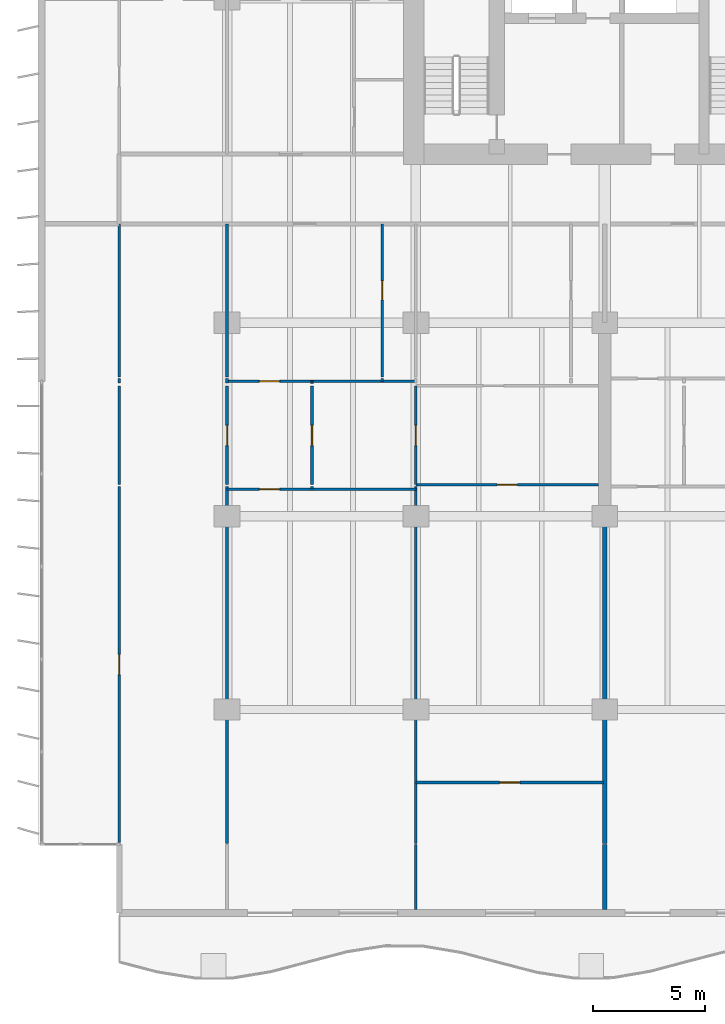
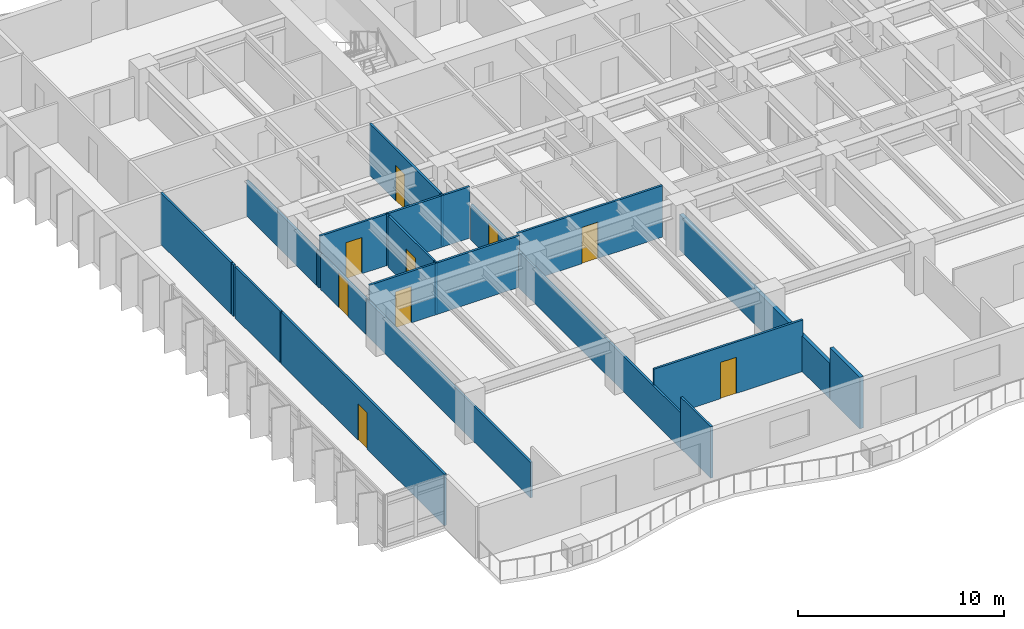
# One storey, part 6 of 17: 22 walls, 9 doors, 9 openings.
"""IFC4 building model written with IfcOpenShell, lengths in metres."""

from ifc_helpers import new_model, si_unit, direction, frame, frame_2d, origin, place, context, subcontext, project, spatial, rectangle, extrude, material, layer, layer_set, type_object, element, fill, save


model = new_model("IFC4")

# Units and contexts
model_context = context("Model", 3, precision=1e-05, world=origin(), true_north=direction((0.0, 1.0)))
body_context = subcontext(model_context, "Body", "Model", "MODEL_VIEW")
ifc_project = project(units=[si_unit("LENGTHUNIT", "METRE"), si_unit("AREAUNIT", "SQUARE_METRE"), si_unit("VOLUMEUNIT", "CUBIC_METRE"), si_unit("PLANEANGLEUNIT", "RADIAN"), si_unit("MASSUNIT", "GRAM", prefix="KILO")], contexts=[model_context])

# Site, building, storey
site_placement = place(None, origin())
site = spatial("IfcSite", under=ifc_project, at=site_placement, CompositionType="ELEMENT")
building_placement = place(site_placement, origin())
building = spatial("IfcBuilding", under=site, at=building_placement, Name="Caelmar Bay Residences", CompositionType="ELEMENT")
storey_placement = place(building_placement, frame((0.0, 0.0, 63.0)))
storey = spatial("IfcBuildingStorey", under=building, at=storey_placement, Name="L16", CompositionType="ELEMENT", Elevation=63.0)

# Wall, opening, door
ifc_material_1 = material(Name="Acoustic metal-stud gypsum partition 120 mm")
ifc_layer_1 = layer(ifc_material_1, 0.1201171875)
ifc_layer_set_1 = layer_set([ifc_layer_1], Name="Acoustic metal-stud gypsum partition 120 mm")
wall_type_1 = type_object("IfcWallType", Name="W-PRT-120", PredefinedType="PARTITIONING", material=ifc_layer_set_1)
wall_1_placement = place(storey_placement, frame((5.10009765625, 6.284912109375, 0.0), z_axis=(0.0, 0.0, 1.0), x_axis=(0.0, 1.0, 0.0)))
wall_1 = element("IfcWall", 1, at=wall_1_placement, inside=storey, type_object=wall_type_1, Name="L16 Partition Wall V001", PredefinedType="PARTITIONING", context=body_context, shape_type="SweptSolid", body=[
    extrude(rectangle(XDim=15.835205078125, YDim=0.1201171875, at=frame_2d((7.91748046875, 0.0))), origin(), (0.0, 0.0, 1.0), 3.050048828125),
])
opening_1_placement = place(wall_1_placement, frame((7.467529296875, 0.0, 0.0)))
opening_1 = element("IfcOpeningElement", 2, at=opening_1_placement, cuts=wall_1, Name="Opening D-L16-166", PredefinedType="OPENING", context=body_context, shape_type="SweptSolid", body=[
    extrude(rectangle(XDim=0.89990234375, YDim=2.14990234375, at=frame_2d((0.449951171875, 1.074951171875))), frame((0.0, 0.070068359375, 0.0), z_axis=(0.0, -1.0, 0.0), x_axis=(1.0, 0.0, 0.0)), (0.0, 0.0, 1.0), 0.14013671875),
])
ifc_material_2 = material(Name="Solid walnut timber interior door leaf and frame", Category="wood")
ifc_layer_2 = layer(ifc_material_2, 0.050048828125)
ifc_layer_set_2 = layer_set([ifc_layer_2], Name="Solid walnut timber interior door leaf and frame")
door_type_1 = type_object("IfcDoorType", Name="D-ROOM-900", OperationType="NOTDEFINED", PredefinedType="DOOR", material=ifc_layer_set_2)
door_1_placement = place(opening_1_placement, origin())
door_1 = element("IfcDoor", 3, at=door_1_placement, inside=storey, type_object=door_type_1, Name="L16 Residence 01 Penthouse West Salon Door", OperationType="SINGLE_SWING_LEFT", OverallHeight=2.14990234375, OverallWidth=0.89990234375, PredefinedType="DOOR", context=body_context, shape_type="SweptSolid", body=[
    extrude(rectangle(XDim=0.89990234375, YDim=2.14990234375, at=frame_2d((0.449951171875, 1.074951171875))), frame((0.0, 0.02490234375, 0.0), z_axis=(0.0, -1.0, 0.0), x_axis=(1.0, 0.0, 0.0)), (0.0, 0.0, 1.0), 0.050048828125),
])
fill(opening_1, door_1)

# Walls
wall_2_placement = place(storey_placement, frame((5.10009765625, 22.199951171875, 0.0), z_axis=(0.0, 0.0, 1.0), x_axis=(0.0, 1.0, 0.0)))
element("IfcWall", 4, at=wall_2_placement, inside=storey, type_object=wall_type_1, Name="L16 Partition Wall V002", PredefinedType="PARTITIONING", context=body_context, shape_type="SweptSolid", body=[
    extrude(rectangle(XDim=4.380126953125, YDim=0.1201171875, at=frame_2d((2.18994140625, 0.0))), origin(), (0.0, 0.0, 1.0), 3.050048828125),
])
wall_3_placement = place(storey_placement, frame((5.10009765625, 26.719970703125, 0.0), z_axis=(0.0, 0.0, 1.0), x_axis=(0.0, 1.0, 0.0)))
element("IfcWall", 5, at=wall_3_placement, inside=storey, type_object=wall_type_1, Name="L16 Partition Wall V003", PredefinedType="PARTITIONING", context=body_context, shape_type="SweptSolid", body=[
    extrude(rectangle(XDim=0.199951171875, YDim=0.1201171875, at=frame_2d((0.10009765625, 0.0))), origin(), (0.0, 0.0, 1.0), 3.050048828125),
])
wall_4_placement = place(storey_placement, frame((5.10009765625, 26.97998046875, 0.0), z_axis=(0.0, 0.0, 1.0), x_axis=(0.0, 1.0, 0.0)))
element("IfcWall", 6, at=wall_4_placement, inside=storey, type_object=wall_type_1, Name="L16 Partition Wall V004", PredefinedType="PARTITIONING", context=body_context, shape_type="SweptSolid", body=[
    extrude(rectangle(XDim=6.820068359375, YDim=0.1201171875, at=frame_2d((3.41015625, 0.0))), origin(), (0.0, 0.0, 1.0), 3.050048828125),
])
wall_5_placement = place(storey_placement, frame((9.89990234375, 6.239990234375, 0.0), z_axis=(0.0, 0.0, 1.0), x_axis=(0.0, 1.0, 0.0)))
element("IfcWall", 7, at=wall_5_placement, inside=storey, type_object=wall_type_1, Name="L16 Partition Wall V008", PredefinedType="PARTITIONING", context=body_context, shape_type="SweptSolid", body=[
    extrude(rectangle(XDim=15.880126953125, YDim=0.1201171875, at=frame_2d((7.93994140625, 0.0))), origin(), (0.0, 0.0, 1.0), 2.110107421875),
])

# Wall, opening, door
wall_6_placement = place(storey_placement, frame((9.89990234375, 22.199951171875, 0.0), z_axis=(0.0, 0.0, 1.0), x_axis=(0.0, 1.0, 0.0)))
wall_6 = element("IfcWall", 8, at=wall_6_placement, inside=storey, type_object=wall_type_1, Name="L16 Partition Wall V009", PredefinedType="PARTITIONING", context=body_context, shape_type="SweptSolid", body=[
    extrude(rectangle(XDim=4.380126953125, YDim=0.1201171875, at=frame_2d((2.18994140625, 0.0))), origin(), (0.0, 0.0, 1.0), 2.110107421875),
])
opening_2_placement = place(wall_6_placement, frame((1.739990234375, 0.0, 0.0)))
opening_2 = element("IfcOpeningElement", 9, at=opening_2_placement, cuts=wall_6, Name="Opening D-L16-133", PredefinedType="OPENING", context=body_context, shape_type="SweptSolid", body=[
    extrude(rectangle(XDim=0.89990234375, YDim=2.06005859375, at=frame_2d((0.449951171875, 1.030029296875))), frame((0.0, 0.070068359375, 0.0), z_axis=(0.0, -1.0, 0.0), x_axis=(1.0, 0.0, 0.0)), (0.0, 0.0, 1.0), 0.14013671875),
])
door_2_placement = place(opening_2_placement, origin())
door_2 = element("IfcDoor", 10, at=door_2_placement, inside=storey, type_object=door_type_1, Name="L16 Residence 01 West Apartment Hall Door", OperationType="SINGLE_SWING_RIGHT", OverallHeight=2.06005859375, OverallWidth=0.89990234375, PredefinedType="DOOR", context=body_context, shape_type="SweptSolid", body=[
    extrude(rectangle(XDim=0.89990234375, YDim=2.06005859375, at=frame_2d((0.449951171875, 1.030029296875))), frame((0.0, 0.02490234375, 0.0), z_axis=(0.0, -1.0, 0.0), x_axis=(1.0, 0.0, 0.0)), (0.0, 0.0, 1.0), 0.050048828125),
])
fill(opening_2, door_2)

# Walls
wall_7_placement = place(storey_placement, frame((9.89990234375, 26.719970703125, 0.0), z_axis=(0.0, 0.0, 1.0), x_axis=(0.0, 1.0, 0.0)))
element("IfcWall", 11, at=wall_7_placement, inside=storey, type_object=wall_type_1, Name="L16 Partition Wall V010", PredefinedType="PARTITIONING", context=body_context, shape_type="SweptSolid", body=[
    extrude(rectangle(XDim=0.199951171875, YDim=0.1201171875, at=frame_2d((0.10009765625, 0.0))), origin(), (0.0, 0.0, 1.0), 2.110107421875),
])
wall_8_placement = place(storey_placement, frame((9.89990234375, 26.97998046875, 0.0), z_axis=(0.0, 0.0, 1.0), x_axis=(0.0, 1.0, 0.0)))
element("IfcWall", 12, at=wall_8_placement, inside=storey, type_object=wall_type_1, Name="L16 Partition Wall V011", PredefinedType="PARTITIONING", context=body_context, shape_type="SweptSolid", body=[
    extrude(rectangle(XDim=6.820068359375, YDim=0.1201171875, at=frame_2d((3.41015625, 0.0))), origin(), (0.0, 0.0, 1.0), 2.110107421875),
])
wall_9_placement = place(storey_placement, frame((13.679931640625, 22.0, 0.0), z_axis=(0.0, 0.0, 1.0), x_axis=(0.0, 1.0, 0.0)))
element("IfcWall", 13, at=wall_9_placement, inside=storey, type_object=wall_type_1, Name="L16 Partition Wall V013", PredefinedType="PARTITIONING", context=body_context, shape_type="SweptSolid", body=[
    extrude(rectangle(XDim=0.1201171875, YDim=0.1201171875, at=frame_2d((0.06005859375, 0.0))), origin(), (0.0, 0.0, 1.0), 3.050048828125),
])

# Wall, opening, door
wall_10_placement = place(storey_placement, frame((13.679931640625, 22.199951171875, 0.0), z_axis=(0.0, 0.0, 1.0), x_axis=(0.0, 1.0, 0.0)))
wall_10 = element("IfcWall", 14, at=wall_10_placement, inside=storey, type_object=wall_type_1, Name="L16 Partition Wall V014", PredefinedType="PARTITIONING", context=body_context, shape_type="SweptSolid", body=[
    extrude(rectangle(XDim=4.380126953125, YDim=0.1201171875, at=frame_2d((2.18994140625, 0.0))), origin(), (0.0, 0.0, 1.0), 3.050048828125),
])
opening_3_placement = place(wall_10_placement, frame((1.739990234375, 0.0, 0.0)))
opening_3 = element("IfcOpeningElement", 15, at=opening_3_placement, cuts=wall_10, Name="Opening D-L16-126", PredefinedType="OPENING", context=body_context, shape_type="SweptSolid", body=[
    extrude(rectangle(XDim=0.89990234375, YDim=2.14990234375, at=frame_2d((0.449951171875, 1.074951171875))), frame((0.0, 0.070068359375, 0.0), z_axis=(0.0, -1.0, 0.0), x_axis=(1.0, 0.0, 0.0)), (0.0, 0.0, 1.0), 0.14013671875),
])
door_3_placement = place(opening_3_placement, origin())
door_3 = element("IfcDoor", 16, at=door_3_placement, inside=storey, type_object=door_type_1, Name="L16 Residence 01 Kitchen Door", OperationType="SINGLE_SWING_LEFT", OverallHeight=2.14990234375, OverallWidth=0.89990234375, PredefinedType="DOOR", context=body_context, shape_type="SweptSolid", body=[
    extrude(rectangle(XDim=0.89990234375, YDim=2.14990234375, at=frame_2d((0.449951171875, 1.074951171875))), frame((0.0, 0.02490234375, 0.0), z_axis=(0.0, -1.0, 0.0), x_axis=(1.0, 0.0, 0.0)), (0.0, 0.0, 1.0), 0.050048828125),
])
fill(opening_3, door_3)

# Walls
wall_11_placement = place(storey_placement, frame((13.679931640625, 26.719970703125, 0.0), z_axis=(0.0, 0.0, 1.0), x_axis=(0.0, 1.0, 0.0)))
element("IfcWall", 17, at=wall_11_placement, inside=storey, type_object=wall_type_1, Name="L16 Partition Wall V015", PredefinedType="PARTITIONING", context=body_context, shape_type="SweptSolid", body=[
    extrude(rectangle(XDim=0.080078125, YDim=0.1201171875, at=frame_2d((0.0400390625, 0.0))), origin(), (0.0, 0.0, 1.0), 3.050048828125),
])
wall_12_placement = place(storey_placement, frame((16.800048828125, 26.800048828125, 0.0), z_axis=(0.0, 0.0, 1.0), x_axis=(0.0, 1.0, 0.0)))
element("IfcWall", 18, at=wall_12_placement, inside=storey, type_object=wall_type_1, Name="L16 Partition Wall V017", PredefinedType="PARTITIONING", context=body_context, shape_type="SweptSolid", body=[
    extrude(rectangle(XDim=0.119873046875, YDim=0.1201171875, at=frame_2d((0.06005859375, 0.0))), origin(), (0.0, 0.0, 1.0), 3.050048828125),
])

# Wall, opening, door
wall_13_placement = place(storey_placement, frame((16.800048828125, 26.97998046875, 0.0), z_axis=(0.0, 0.0, 1.0), x_axis=(0.0, 1.0, 0.0)))
wall_13 = element("IfcWall", 19, at=wall_13_placement, inside=storey, type_object=wall_type_1, Name="L16 Partition Wall V018", PredefinedType="PARTITIONING", context=body_context, shape_type="SweptSolid", body=[
    extrude(rectangle(XDim=6.820068359375, YDim=0.1201171875, at=frame_2d((3.41015625, 0.0))), origin(), (0.0, 0.0, 1.0), 3.050048828125),
])
opening_4_placement = place(wall_13_placement, frame((3.43505859375, 0.0, 0.0)))
opening_4 = element("IfcOpeningElement", 20, at=opening_4_placement, cuts=wall_13, Name="Opening D-L16-124", PredefinedType="OPENING", context=body_context, shape_type="SweptSolid", body=[
    extrude(rectangle(XDim=0.85009765625, YDim=2.10009765625, at=frame_2d((0.425048828125, 1.050048828125))), frame((0.0, 0.070068359375, 0.0), z_axis=(0.0, -1.0, 0.0), x_axis=(1.0, 0.0, 0.0)), (0.0, 0.0, 1.0), 0.14013671875),
])
ifc_layer_3 = layer(ifc_material_2, 0.050048828125)
ifc_layer_set_3 = layer_set([ifc_layer_3], Name="Solid walnut timber interior door leaf and frame")
door_type_2 = type_object("IfcDoorType", Name="D-BATH-850", OperationType="NOTDEFINED", PredefinedType="DOOR", material=ifc_layer_set_3)
door_4_placement = place(opening_4_placement, origin())
door_4 = element("IfcDoor", 21, at=door_4_placement, inside=storey, type_object=door_type_2, Name="L16 Residence 01 Guest Bathroom Door", OperationType="SINGLE_SWING_LEFT", OverallHeight=2.10009765625, OverallWidth=0.85009765625, PredefinedType="DOOR", context=body_context, shape_type="SweptSolid", body=[
    extrude(rectangle(XDim=0.85009765625, YDim=2.10009765625, at=frame_2d((0.425048828125, 1.050048828125))), frame((0.0, 0.02490234375, 0.0), z_axis=(0.0, -1.0, 0.0), x_axis=(1.0, 0.0, 0.0)), (0.0, 0.0, 1.0), 0.050048828125),
])
fill(opening_4, door_4)

# Walls
wall_14_placement = place(storey_placement, frame((18.300048828125, 3.294921875, 0.0), z_axis=(0.0, 0.0, 1.0), x_axis=(0.0, 1.0, 0.0)))
element("IfcWall", 22, at=wall_14_placement, inside=storey, type_object=wall_type_1, Name="L16 Partition Wall V019", PredefinedType="PARTITIONING", context=body_context, shape_type="SweptSolid", body=[
    extrude(rectangle(XDim=2.905029296875, YDim=0.1201171875, at=frame_2d((1.45263671875, 0.0))), origin(), (0.0, 0.0, 1.0), 3.050048828125),
])
wall_15_placement = place(storey_placement, frame((18.300048828125, 6.239990234375, 0.0), z_axis=(0.0, 0.0, 1.0), x_axis=(0.0, 1.0, 0.0)))
element("IfcWall", 23, at=wall_15_placement, inside=storey, type_object=wall_type_1, Name="L16 Partition Wall V020", PredefinedType="PARTITIONING", context=body_context, shape_type="SweptSolid", body=[
    extrude(rectangle(XDim=15.880126953125, YDim=0.1201171875, at=frame_2d((7.93994140625, 0.0))), origin(), (0.0, 0.0, 1.0), 2.110107421875),
])

# Wall, opening, door
wall_16_placement = place(storey_placement, frame((18.300048828125, 22.199951171875, 0.0), z_axis=(0.0, 0.0, 1.0), x_axis=(0.0, 1.0, 0.0)))
wall_16 = element("IfcWall", 24, at=wall_16_placement, inside=storey, type_object=wall_type_1, Name="L16 Partition Wall V021", PredefinedType="PARTITIONING", context=body_context, shape_type="SweptSolid", body=[
    extrude(rectangle(XDim=4.380126953125, YDim=0.1201171875, at=frame_2d((2.18994140625, 0.0))), origin(), (0.0, 0.0, 1.0), 2.110107421875),
])
opening_5_placement = place(wall_16_placement, frame((1.739990234375, 0.0, 0.0)))
opening_5 = element("IfcOpeningElement", 25, at=opening_5_placement, cuts=wall_16, Name="Opening D-L16-128", PredefinedType="OPENING", context=body_context, shape_type="SweptSolid", body=[
    extrude(rectangle(XDim=0.89990234375, YDim=2.06005859375, at=frame_2d((0.449951171875, 1.030029296875))), frame((0.0, 0.070068359375, 0.0), z_axis=(0.0, -1.0, 0.0), x_axis=(1.0, 0.0, 0.0)), (0.0, 0.0, 1.0), 0.14013671875),
])
door_5_placement = place(opening_5_placement, origin())
door_5 = element("IfcDoor", 26, at=door_5_placement, inside=storey, type_object=door_type_1, Name="L16 Residence 01 Conference Study 1 Door", OperationType="SINGLE_SWING_LEFT", OverallHeight=2.06005859375, OverallWidth=0.89990234375, PredefinedType="DOOR", context=body_context, shape_type="SweptSolid", body=[
    extrude(rectangle(XDim=0.89990234375, YDim=2.06005859375, at=frame_2d((0.449951171875, 1.030029296875))), frame((0.0, 0.02490234375, 0.0), z_axis=(0.0, -1.0, 0.0), x_axis=(1.0, 0.0, 0.0)), (0.0, 0.0, 1.0), 0.050048828125),
])
fill(opening_5, door_5)

wall_17_placement = place(storey_placement, frame((18.300048828125, 8.949951171875, 0.0), z_axis=(0.0, 0.0, 1.0), x_axis=(1.0, 0.0, 0.0)))
wall_17 = element("IfcWall", 27, at=wall_17_placement, inside=storey, type_object=wall_type_1, Name="L16 Partition Wall H101", PredefinedType="PARTITIONING", context=body_context, shape_type="SweptSolid", body=[
    extrude(rectangle(XDim=8.349853515625, YDim=0.1201171875, at=frame_2d((4.1748046875, 0.0))), origin(), (0.0, 0.0, 1.0), 3.050048828125),
])
opening_6_placement = place(wall_17_placement, frame((3.72509765625, 0.0, 0.0)))
opening_6 = element("IfcOpeningElement", 28, at=opening_6_placement, cuts=wall_17, Name="Opening D-L16-132", PredefinedType="OPENING", context=body_context, shape_type="SweptSolid", body=[
    extrude(rectangle(XDim=0.89990234375, YDim=2.14990234375, at=frame_2d((0.449951171875, 1.074951171875))), frame((0.0, 0.070068359375, 0.0), z_axis=(0.0, -1.0, 0.0), x_axis=(1.0, 0.0, 0.0)), (0.0, 0.0, 1.0), 0.14013671875),
])
door_6_placement = place(opening_6_placement, origin())
door_6 = element("IfcDoor", 29, at=door_6_placement, inside=storey, type_object=door_type_1, Name="L16 Residence 01 Primary Bedroom 1 Door", OperationType="SINGLE_SWING_LEFT", OverallHeight=2.14990234375, OverallWidth=0.89990234375, PredefinedType="DOOR", context=body_context, shape_type="SweptSolid", body=[
    extrude(rectangle(XDim=0.89990234375, YDim=2.14990234375, at=frame_2d((0.449951171875, 1.074951171875))), frame((0.0, 0.02490234375, 0.0), z_axis=(0.0, -1.0, 0.0), x_axis=(1.0, 0.0, 0.0)), (0.0, 0.0, 1.0), 0.050048828125),
])
fill(opening_6, door_6)

wall_18_placement = place(storey_placement, frame((9.89990234375, 22.0, 0.0), z_axis=(0.0, 0.0, 1.0), x_axis=(1.0, 0.0, 0.0)))
wall_18 = element("IfcWall", 30, at=wall_18_placement, inside=storey, type_object=wall_type_1, Name="L16 Partition Wall H109", PredefinedType="PARTITIONING", context=body_context, shape_type="SweptSolid", body=[
    extrude(rectangle(XDim=8.400146484375, YDim=0.1201171875, at=frame_2d((4.2001953125, 0.0))), origin(), (0.0, 0.0, 1.0), 3.050048828125),
])
opening_7_placement = place(wall_18_placement, frame((1.43994140625, 0.0, 0.0)))
opening_7 = element("IfcOpeningElement", 31, at=opening_7_placement, cuts=wall_18, Name="Opening D-L16-127", PredefinedType="OPENING", context=body_context, shape_type="SweptSolid", body=[
    extrude(rectangle(XDim=0.89990234375, YDim=2.14990234375, at=frame_2d((0.449951171875, 1.074951171875))), frame((0.0, 0.070068359375, 0.0), z_axis=(0.0, -1.0, 0.0), x_axis=(1.0, 0.0, 0.0)), (0.0, 0.0, 1.0), 0.14013671875),
])
door_7_placement = place(opening_7_placement, origin())
door_7 = element("IfcDoor", 32, at=door_7_placement, inside=storey, type_object=door_type_1, Name="L16 Residence 01 Penthouse Living Salon Door", OperationType="SINGLE_SWING_RIGHT", OverallHeight=2.14990234375, OverallWidth=0.89990234375, PredefinedType="DOOR", context=body_context, shape_type="SweptSolid", body=[
    extrude(rectangle(XDim=0.89990234375, YDim=2.14990234375, at=frame_2d((0.449951171875, 1.074951171875))), frame((0.0, 0.02490234375, 0.0), z_axis=(0.0, -1.0, 0.0), x_axis=(1.0, 0.0, 0.0)), (0.0, 0.0, 1.0), 0.050048828125),
])
fill(opening_7, door_7)

wall_19_placement = place(storey_placement, frame((18.304931640625, 22.199951171875, 0.0), z_axis=(0.0, 0.0, 1.0), x_axis=(1.0, 0.0, 0.0)))
wall_19 = element("IfcWall", 33, at=wall_19_placement, inside=storey, type_object=wall_type_1, Name="L16 Partition Wall H111", PredefinedType="PARTITIONING", context=body_context, shape_type="SweptSolid", body=[
    extrude(rectangle(XDim=8.125, YDim=0.1201171875, at=frame_2d((4.0625, 0.0))), origin(), (0.0, 0.0, 1.0), 3.050048828125),
])
opening_8_placement = place(wall_19_placement, frame((3.612548828125, 0.0, 0.0)))
opening_8 = element("IfcOpeningElement", 34, at=opening_8_placement, cuts=wall_19, Name="Opening D-L16-131", PredefinedType="OPENING", context=body_context, shape_type="SweptSolid", body=[
    extrude(rectangle(XDim=0.89990234375, YDim=2.14990234375, at=frame_2d((0.449951171875, 1.074951171875))), frame((0.0, 0.070068359375, 0.0), z_axis=(0.0, -1.0, 0.0), x_axis=(1.0, 0.0, 0.0)), (0.0, 0.0, 1.0), 0.14013671875),
])
door_8_placement = place(opening_8_placement, origin())
door_8 = element("IfcDoor", 35, at=door_8_placement, inside=storey, type_object=door_type_1, Name="L16 Residence 01 Penthouse Sitting Salon 1 Door", OperationType="SINGLE_SWING_RIGHT", OverallHeight=2.14990234375, OverallWidth=0.89990234375, PredefinedType="DOOR", context=body_context, shape_type="SweptSolid", body=[
    extrude(rectangle(XDim=0.89990234375, YDim=2.14990234375, at=frame_2d((0.449951171875, 1.074951171875))), frame((0.0, 0.02490234375, 0.0), z_axis=(0.0, -1.0, 0.0), x_axis=(1.0, 0.0, 0.0)), (0.0, 0.0, 1.0), 0.050048828125),
])
fill(opening_8, door_8)

wall_20_placement = place(storey_placement, frame((9.89990234375, 26.800048828125, 0.0), z_axis=(0.0, 0.0, 1.0), x_axis=(1.0, 0.0, 0.0)))
wall_20 = element("IfcWall", 36, at=wall_20_placement, inside=storey, type_object=wall_type_1, Name="L16 Partition Wall H117", PredefinedType="PARTITIONING", context=body_context, shape_type="SweptSolid", body=[
    extrude(rectangle(XDim=8.39501953125, YDim=0.1201171875, at=frame_2d((4.197509765625, 0.0))), origin(), (0.0, 0.0, 1.0), 3.050048828125),
])
opening_9_placement = place(wall_20_placement, frame((1.43994140625, 0.0, 0.0)))
opening_9 = element("IfcOpeningElement", 37, at=opening_9_placement, cuts=wall_20, Name="Opening D-L16-125", PredefinedType="OPENING", context=body_context, shape_type="SweptSolid", body=[
    extrude(rectangle(XDim=0.89990234375, YDim=2.14990234375, at=frame_2d((0.449951171875, 1.074951171875))), frame((0.0, 0.070068359375, 0.0), z_axis=(0.0, -1.0, 0.0), x_axis=(1.0, 0.0, 0.0)), (0.0, 0.0, 1.0), 0.14013671875),
])
door_9_placement = place(opening_9_placement, origin())
door_9 = element("IfcDoor", 38, at=door_9_placement, inside=storey, type_object=door_type_1, Name="L16 Residence 01 Dining Room Door", OperationType="SINGLE_SWING_RIGHT", OverallHeight=2.14990234375, OverallWidth=0.89990234375, PredefinedType="DOOR", context=body_context, shape_type="SweptSolid", body=[
    extrude(rectangle(XDim=0.89990234375, YDim=2.14990234375, at=frame_2d((0.449951171875, 1.074951171875))), frame((0.0, 0.02490234375, 0.0), z_axis=(0.0, -1.0, 0.0), x_axis=(1.0, 0.0, 0.0)), (0.0, 0.0, 1.0), 0.050048828125),
])
fill(opening_9, door_9)

# Walls
ifc_material_3 = material(Name="Acoustic twin-stud fire-rated inter-tenancy partition 200 mm")
ifc_layer_4 = layer(ifc_material_3, 0.199951171875)
ifc_layer_set_4 = layer_set([ifc_layer_4], Name="Acoustic twin-stud fire-rated inter-tenancy partition 200 mm")
wall_type_2 = type_object("IfcWallType", Name="W-PTY-200", PredefinedType="PARTITIONING", material=ifc_layer_set_4)
wall_21_placement = place(storey_placement, frame((26.699951171875, 3.294921875, 0.0), z_axis=(0.0, 0.0, 1.0), x_axis=(0.0, 1.0, 0.0)))
element("IfcWall", 39, at=wall_21_placement, inside=storey, type_object=wall_type_2, Name="L16 Partition Wall V029", PredefinedType="PARTITIONING", context=body_context, shape_type="SweptSolid", body=[
    extrude(rectangle(XDim=2.905029296875, YDim=0.199951171875, at=frame_2d((1.45263671875, 0.0))), origin(), (0.0, 0.0, 1.0), 3.050048828125),
])
wall_22_placement = place(storey_placement, frame((26.699951171875, 6.239990234375, 0.0), z_axis=(0.0, 0.0, 1.0), x_axis=(0.0, 1.0, 0.0)))
element("IfcWall", 40, at=wall_22_placement, inside=storey, type_object=wall_type_2, Name="L16 Partition Wall V030", PredefinedType="PARTITIONING", context=body_context, shape_type="SweptSolid", body=[
    extrude(rectangle(XDim=14.554931640625, YDim=0.199951171875, at=frame_2d((7.27734375, 0.0))), origin(), (0.0, 0.0, 1.0), 2.110107421875),
])

save(model, "model.ifc")
